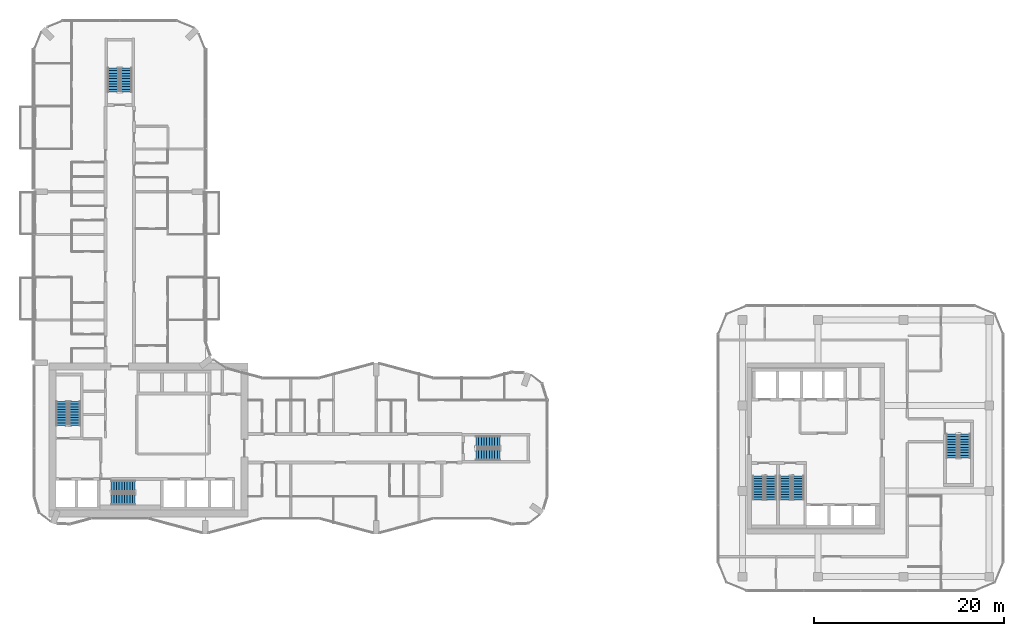
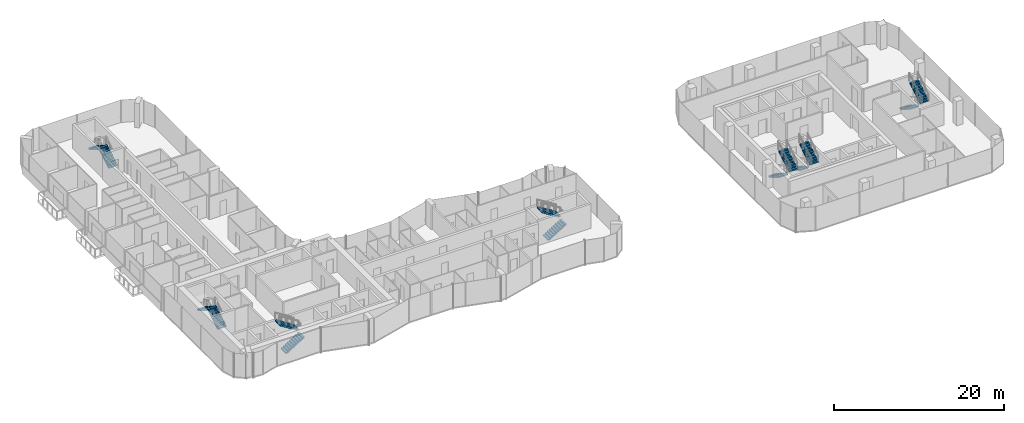
# One storey, part 20 of 23: 14 stair flights, 7 elements without a shape of their own.
"""IFC4 building model written with IfcOpenShell, lengths in metres."""

from ifc_helpers import new_model, si_unit, direction, frame, origin, place, context, subcontext, project, spatial, polyline, outline, extrude, material, type_object, element, aggregate, save


model = new_model("IFC4")

# Units and contexts
model_context = context("Model", 3, precision=1e-05, world=origin(), true_north=direction((0.0, 1.0)))
body_context = subcontext(model_context, "Body", "Model", "MODEL_VIEW")
ifc_project = project(units=[si_unit("LENGTHUNIT", "METRE"), si_unit("AREAUNIT", "SQUARE_METRE"), si_unit("VOLUMEUNIT", "CUBIC_METRE"), si_unit("PLANEANGLEUNIT", "RADIAN"), si_unit("MASSUNIT", "GRAM", prefix="KILO")], contexts=[model_context])

# Site, building, storey
site_placement = place(None, origin())
site = spatial("IfcSite", under=ifc_project, at=site_placement, CompositionType="ELEMENT")
building_placement = place(site_placement, origin())
building = spatial("IfcBuilding", under=site, at=building_placement, Name="Plateau Cross Towers", CompositionType="ELEMENT")
storey_placement = place(building_placement, frame((0.0, 0.0, 40.800048828125)))
storey = spatial("IfcBuildingStorey", under=building, at=storey_placement, Name="L09", CompositionType="ELEMENT", Elevation=40.800048828125)

# Stair, stair flights
ifc_material = material(Name="Concrete C40/50", Category="concrete")
stair_type = type_object("IfcStairType", Name="ST-TWR", PredefinedType="HALF_TURN_STAIR", material=ifc_material)
stair_1_placement = place(storey_placement, origin())
stair_1 = element("IfcStair", 1, at=stair_1_placement, inside=storey, type_object=stair_type, Name="L09 Protected Exit Stair ST-1", PredefinedType="HALF_TURN_STAIR")
stair_flight_type = type_object("IfcStairFlightType", Name="SFL-RC", PredefinedType="STRAIGHT", material=ifc_material)
stair_flight_1_placement = place(storey_placement, frame((4.25, 11.39990234375, 0.0), z_axis=(0.0, 0.0, 1.0), x_axis=(0.0, 1.0, 0.0)))
stair_flight_1 = element("IfcStairFlight", 2, at=stair_flight_1_placement, type_object=stair_flight_type, Name="ST-1 flight 1", NumberOfRisers=10, NumberOfTreads=9, PredefinedType="STRAIGHT", RiserHeight=0.175, TreadLength=0.28, context=body_context, shape_type="SweptSolid", body=[
    extrude(outline(polyline([(-0.0048828125, -0.010009765625), (-0.0048828125, 0.0), (0.0, 0.0), (0.0, 0.175048828125), (0.280029296875, 0.175048828125), (0.280029296875, 0.35009765625), (0.56005859375, 0.35009765625), (0.56005859375, 0.52490234375), (0.840087890625, 0.52490234375), (0.840087890625, 0.699951171875), (1.1201171875, 0.699951171875), (1.1201171875, 0.875), (1.39990234375, 0.875), (1.39990234375, 1.050048828125), (1.679931640625, 1.050048828125), (1.679931640625, 1.22509765625), (1.9599609375, 1.22509765625), (1.9599609375, 1.39990234375), (2.239990234375, 1.39990234375), (2.239990234375, 1.574951171875), (2.52001953125, 1.574951171875), (2.52490234375, 1.56494140625), (2.52490234375, 1.398193359375), (2.52001953125, 1.398193359375), (0.28271484375, 0.0), (0.02001953125, 0.0), (0.02001953125, -0.010009765625), (-0.0048828125, -0.010009765625)])), frame((0.0, 0.60009765625, 0.0), z_axis=(0.0, -1.0, 0.0), x_axis=(1.0, 0.0, 0.0)), (0.0, 0.0, 1.0), 1.199951171875),
])
stair_flight_2_placement = place(storey_placement, frame((2.89990234375, 13.919921875, 1.75), z_axis=(0.0, 0.0, 1.0), x_axis=(0.0, -1.0, 0.0)))
stair_flight_2 = element("IfcStairFlight", 3, at=stair_flight_2_placement, type_object=stair_flight_type, Name="ST-1 flight 2", NumberOfRisers=10, NumberOfTreads=9, PredefinedType="STRAIGHT", RiserHeight=0.175, TreadLength=0.28, context=body_context, shape_type="SweptSolid", body=[
    extrude(outline(polyline([(-0.0048828125, -0.010009765625), (-0.0048828125, 0.0), (0.0, 0.0), (0.0, 0.175048828125), (0.280029296875, 0.175048828125), (0.280029296875, 0.35009765625), (0.56005859375, 0.35009765625), (0.56005859375, 0.52490234375), (0.840087890625, 0.52490234375), (0.840087890625, 0.699951171875), (1.1201171875, 0.699951171875), (1.1201171875, 0.875), (1.39990234375, 0.875), (1.39990234375, 1.050048828125), (1.679931640625, 1.050048828125), (1.679931640625, 1.22509765625), (1.9599609375, 1.22509765625), (1.9599609375, 1.39990234375), (2.239990234375, 1.39990234375), (2.239990234375, 1.574951171875), (2.52001953125, 1.574951171875), (2.52490234375, 1.56494140625), (2.52490234375, 1.398193359375), (2.52001953125, 1.398193359375), (0.28271484375, 0.0), (0.02001953125, 0.0), (0.02001953125, -0.010009765625), (-0.0048828125, -0.010009765625)])), frame((0.0, 0.60009765625, 0.0), z_axis=(0.0, -1.0, 0.0), x_axis=(1.0, 0.0, 0.0)), (0.0, 0.0, 1.0), 1.199951171875),
])
aggregate(stair_1, [stair_flight_1, stair_flight_2])

stair_2_placement = place(storey_placement, origin())
stair_2 = element("IfcStair", 4, at=stair_2_placement, inside=storey, type_object=stair_type, Name="L09 Protected Exit Stair ST-2", PredefinedType="HALF_TURN_STAIR")
stair_flight_3_placement = place(storey_placement, frame((8.10009765625, 3.64990234375, 0.0), z_axis=(0.0, 0.0, 1.0), x_axis=(1.0, 0.0, 0.0)))
stair_flight_3 = element("IfcStairFlight", 5, at=stair_flight_3_placement, type_object=stair_flight_type, Name="ST-2 flight 1", NumberOfRisers=10, NumberOfTreads=9, PredefinedType="STRAIGHT", RiserHeight=0.175, TreadLength=0.28, context=body_context, shape_type="SweptSolid", body=[
    extrude(outline(polyline([(-0.0048828125, -0.010009765625), (-0.0048828125, 0.0), (0.0, 0.0), (0.0, 0.175048828125), (0.280029296875, 0.175048828125), (0.280029296875, 0.35009765625), (0.56005859375, 0.35009765625), (0.56005859375, 0.52490234375), (0.840087890625, 0.52490234375), (0.840087890625, 0.699951171875), (1.1201171875, 0.699951171875), (1.1201171875, 0.875), (1.39990234375, 0.875), (1.39990234375, 1.050048828125), (1.679931640625, 1.050048828125), (1.679931640625, 1.22509765625), (1.9599609375, 1.22509765625), (1.9599609375, 1.39990234375), (2.239990234375, 1.39990234375), (2.239990234375, 1.574951171875), (2.52001953125, 1.574951171875), (2.52490234375, 1.56494140625), (2.52490234375, 1.398193359375), (2.52001953125, 1.398193359375), (0.28271484375, 0.0), (0.02001953125, 0.0), (0.02001953125, -0.010009765625), (-0.0048828125, -0.010009765625)])), frame((0.0, 0.60009765625, 0.0), z_axis=(0.0, -1.0, 0.0), x_axis=(1.0, 0.0, 0.0)), (0.0, 0.0, 1.0), 1.199951171875),
])
stair_flight_4_placement = place(storey_placement, frame((10.6201171875, 5.0, 1.75), z_axis=(0.0, 0.0, 1.0), x_axis=(-1.0, 0.0, 0.0)))
stair_flight_4 = element("IfcStairFlight", 6, at=stair_flight_4_placement, type_object=stair_flight_type, Name="ST-2 flight 2", NumberOfRisers=10, NumberOfTreads=9, PredefinedType="STRAIGHT", RiserHeight=0.175, TreadLength=0.28, context=body_context, shape_type="SweptSolid", body=[
    extrude(outline(polyline([(-0.0048828125, -0.010009765625), (-0.0048828125, 0.0), (0.0, 0.0), (0.0, 0.175048828125), (0.280029296875, 0.175048828125), (0.280029296875, 0.35009765625), (0.56005859375, 0.35009765625), (0.56005859375, 0.52490234375), (0.840087890625, 0.52490234375), (0.840087890625, 0.699951171875), (1.1201171875, 0.699951171875), (1.1201171875, 0.875), (1.39990234375, 0.875), (1.39990234375, 1.050048828125), (1.679931640625, 1.050048828125), (1.679931640625, 1.22509765625), (1.9599609375, 1.22509765625), (1.9599609375, 1.39990234375), (2.239990234375, 1.39990234375), (2.239990234375, 1.574951171875), (2.52001953125, 1.574951171875), (2.52490234375, 1.56494140625), (2.52490234375, 1.398193359375), (2.52001953125, 1.398193359375), (0.28271484375, 0.0), (0.02001953125, 0.0), (0.02001953125, -0.010009765625), (-0.0048828125, -0.010009765625)])), frame((0.0, 0.60009765625, 0.0), z_axis=(0.0, -1.0, 0.0), x_axis=(1.0, 0.0, 0.0)), (0.0, 0.0, 1.0), 1.199951171875),
])
aggregate(stair_2, [stair_flight_3, stair_flight_4])

stair_3_placement = place(storey_placement, origin())
stair_3 = element("IfcStair", 7, at=stair_3_placement, inside=storey, type_object=stair_type, Name="L09 Protected Exit Stair SB-1", PredefinedType="HALF_TURN_STAIR")
stair_flight_5_placement = place(storey_placement, frame((76.199951171875, 6.10009765625, 0.0), z_axis=(0.0, 0.0, 1.0), x_axis=(0.0, -1.0, 0.0)))
stair_flight_5 = element("IfcStairFlight", 8, at=stair_flight_5_placement, type_object=stair_flight_type, Name="SB-1 flight 1", NumberOfRisers=10, NumberOfTreads=9, PredefinedType="STRAIGHT", RiserHeight=0.175, TreadLength=0.28, context=body_context, shape_type="SweptSolid", body=[
    extrude(outline(polyline([(-0.0048828125, -0.010009765625), (-0.0048828125, 0.0), (0.0, 0.0), (0.0, 0.175048828125), (0.280029296875, 0.175048828125), (0.280029296875, 0.35009765625), (0.56005859375, 0.35009765625), (0.56005859375, 0.52490234375), (0.840087890625, 0.52490234375), (0.840087890625, 0.699951171875), (1.1201171875, 0.699951171875), (1.1201171875, 0.875), (1.39990234375, 0.875), (1.39990234375, 1.050048828125), (1.679931640625, 1.050048828125), (1.679931640625, 1.22509765625), (1.9599609375, 1.22509765625), (1.9599609375, 1.39990234375), (2.239990234375, 1.39990234375), (2.239990234375, 1.574951171875), (2.52001953125, 1.574951171875), (2.52490234375, 1.56494140625), (2.52490234375, 1.398193359375), (2.52001953125, 1.398193359375), (0.28271484375, 0.0), (0.02001953125, 0.0), (0.02001953125, -0.010009765625), (-0.0048828125, -0.010009765625)])), frame((0.0, 0.60009765625, 0.0), z_axis=(0.0, -1.0, 0.0), x_axis=(1.0, 0.0, 0.0)), (0.0, 0.0, 1.0), 1.199951171875),
])
stair_flight_6_placement = place(storey_placement, frame((77.550048828125, 3.580078125, 1.75), z_axis=(0.0, 0.0, 1.0), x_axis=(0.0, 1.0, 0.0)))
stair_flight_6 = element("IfcStairFlight", 9, at=stair_flight_6_placement, type_object=stair_flight_type, Name="SB-1 flight 2", NumberOfRisers=10, NumberOfTreads=9, PredefinedType="STRAIGHT", RiserHeight=0.175, TreadLength=0.28, context=body_context, shape_type="SweptSolid", body=[
    extrude(outline(polyline([(-0.0048828125, -0.010009765625), (-0.0048828125, 0.0), (0.0, 0.0), (0.0, 0.175048828125), (0.280029296875, 0.175048828125), (0.280029296875, 0.35009765625), (0.56005859375, 0.35009765625), (0.56005859375, 0.52490234375), (0.840087890625, 0.52490234375), (0.840087890625, 0.699951171875), (1.1201171875, 0.699951171875), (1.1201171875, 0.875), (1.39990234375, 0.875), (1.39990234375, 1.050048828125), (1.679931640625, 1.050048828125), (1.679931640625, 1.22509765625), (1.9599609375, 1.22509765625), (1.9599609375, 1.39990234375), (2.239990234375, 1.39990234375), (2.239990234375, 1.574951171875), (2.52001953125, 1.574951171875), (2.52490234375, 1.56494140625), (2.52490234375, 1.398193359375), (2.52001953125, 1.398193359375), (0.28271484375, 0.0), (0.02001953125, 0.0), (0.02001953125, -0.010009765625), (-0.0048828125, -0.010009765625)])), frame((0.0, 0.60009765625, 0.0), z_axis=(0.0, -1.0, 0.0), x_axis=(1.0, 0.0, 0.0)), (0.0, 0.0, 1.0), 1.199951171875),
])
aggregate(stair_3, [stair_flight_5, stair_flight_6])

stair_4_placement = place(storey_placement, origin())
stair_4 = element("IfcStair", 10, at=stair_4_placement, inside=storey, type_object=stair_type, Name="L09 Protected Exit Stair SB-2", PredefinedType="HALF_TURN_STAIR")
stair_flight_7_placement = place(storey_placement, frame((79.050048828125, 6.10009765625, 0.0), z_axis=(0.0, 0.0, 1.0), x_axis=(0.0, -1.0, 0.0)))
stair_flight_7 = element("IfcStairFlight", 11, at=stair_flight_7_placement, type_object=stair_flight_type, Name="SB-2 flight 1", NumberOfRisers=10, NumberOfTreads=9, PredefinedType="STRAIGHT", RiserHeight=0.175, TreadLength=0.28, context=body_context, shape_type="SweptSolid", body=[
    extrude(outline(polyline([(-0.0048828125, -0.010009765625), (-0.0048828125, 0.0), (0.0, 0.0), (0.0, 0.175048828125), (0.280029296875, 0.175048828125), (0.280029296875, 0.35009765625), (0.56005859375, 0.35009765625), (0.56005859375, 0.52490234375), (0.840087890625, 0.52490234375), (0.840087890625, 0.699951171875), (1.1201171875, 0.699951171875), (1.1201171875, 0.875), (1.39990234375, 0.875), (1.39990234375, 1.050048828125), (1.679931640625, 1.050048828125), (1.679931640625, 1.22509765625), (1.9599609375, 1.22509765625), (1.9599609375, 1.39990234375), (2.239990234375, 1.39990234375), (2.239990234375, 1.574951171875), (2.52001953125, 1.574951171875), (2.52490234375, 1.56494140625), (2.52490234375, 1.398193359375), (2.52001953125, 1.398193359375), (0.28271484375, 0.0), (0.02001953125, 0.0), (0.02001953125, -0.010009765625), (-0.0048828125, -0.010009765625)])), frame((0.0, 0.60009765625, 0.0), z_axis=(0.0, -1.0, 0.0), x_axis=(1.0, 0.0, 0.0)), (0.0, 0.0, 1.0), 1.199951171875),
])
stair_flight_8_placement = place(storey_placement, frame((80.39990234375, 3.580078125, 1.75), z_axis=(0.0, 0.0, 1.0), x_axis=(0.0, 1.0, 0.0)))
stair_flight_8 = element("IfcStairFlight", 12, at=stair_flight_8_placement, type_object=stair_flight_type, Name="SB-2 flight 2", NumberOfRisers=10, NumberOfTreads=9, PredefinedType="STRAIGHT", RiserHeight=0.175, TreadLength=0.28, context=body_context, shape_type="SweptSolid", body=[
    extrude(outline(polyline([(-0.0048828125, -0.010009765625), (-0.0048828125, 0.0), (0.0, 0.0), (0.0, 0.175048828125), (0.280029296875, 0.175048828125), (0.280029296875, 0.35009765625), (0.56005859375, 0.35009765625), (0.56005859375, 0.52490234375), (0.840087890625, 0.52490234375), (0.840087890625, 0.699951171875), (1.1201171875, 0.699951171875), (1.1201171875, 0.875), (1.39990234375, 0.875), (1.39990234375, 1.050048828125), (1.679931640625, 1.050048828125), (1.679931640625, 1.22509765625), (1.9599609375, 1.22509765625), (1.9599609375, 1.39990234375), (2.239990234375, 1.39990234375), (2.239990234375, 1.574951171875), (2.52001953125, 1.574951171875), (2.52490234375, 1.56494140625), (2.52490234375, 1.398193359375), (2.52001953125, 1.398193359375), (0.28271484375, 0.0), (0.02001953125, 0.0), (0.02001953125, -0.010009765625), (-0.0048828125, -0.010009765625)])), frame((0.0, 0.60009765625, 0.0), z_axis=(0.0, -1.0, 0.0), x_axis=(1.0, 0.0, 0.0)), (0.0, 0.0, 1.0), 1.199951171875),
])
aggregate(stair_4, [stair_flight_7, stair_flight_8])

stair_5_placement = place(storey_placement, origin())
stair_5 = element("IfcStair", 13, at=stair_5_placement, inside=storey, type_object=stair_type, Name="L09 Protected Exit Stair SB-3", PredefinedType="HALF_TURN_STAIR")
stair_flight_9_placement = place(storey_placement, frame((96.60009765625, 10.5, 0.0), z_axis=(0.0, 0.0, 1.0), x_axis=(0.0, -1.0, 0.0)))
stair_flight_9 = element("IfcStairFlight", 14, at=stair_flight_9_placement, type_object=stair_flight_type, Name="SB-3 flight 1", NumberOfRisers=10, NumberOfTreads=9, PredefinedType="STRAIGHT", RiserHeight=0.175, TreadLength=0.28, context=body_context, shape_type="SweptSolid", body=[
    extrude(outline(polyline([(-0.0048828125, -0.010009765625), (-0.0048828125, 0.0), (0.0, 0.0), (0.0, 0.175048828125), (0.280029296875, 0.175048828125), (0.280029296875, 0.35009765625), (0.56005859375, 0.35009765625), (0.56005859375, 0.52490234375), (0.840087890625, 0.52490234375), (0.840087890625, 0.699951171875), (1.1201171875, 0.699951171875), (1.1201171875, 0.875), (1.39990234375, 0.875), (1.39990234375, 1.050048828125), (1.679931640625, 1.050048828125), (1.679931640625, 1.22509765625), (1.9599609375, 1.22509765625), (1.9599609375, 1.39990234375), (2.239990234375, 1.39990234375), (2.239990234375, 1.574951171875), (2.52001953125, 1.574951171875), (2.52490234375, 1.56494140625), (2.52490234375, 1.398193359375), (2.52001953125, 1.398193359375), (0.28271484375, 0.0), (0.02001953125, 0.0), (0.02001953125, -0.010009765625), (-0.0048828125, -0.010009765625)])), frame((0.0, 0.60009765625, 0.0), z_axis=(0.0, -1.0, 0.0), x_axis=(1.0, 0.0, 0.0)), (0.0, 0.0, 1.0), 1.199951171875),
])
stair_flight_10_placement = place(storey_placement, frame((97.949951171875, 7.97998046875, 1.75), z_axis=(0.0, 0.0, 1.0), x_axis=(0.0, 1.0, 0.0)))
stair_flight_10 = element("IfcStairFlight", 15, at=stair_flight_10_placement, type_object=stair_flight_type, Name="SB-3 flight 2", NumberOfRisers=10, NumberOfTreads=9, PredefinedType="STRAIGHT", RiserHeight=0.175, TreadLength=0.28, context=body_context, shape_type="SweptSolid", body=[
    extrude(outline(polyline([(-0.0048828125, -0.010009765625), (-0.0048828125, 0.0), (0.0, 0.0), (0.0, 0.175048828125), (0.280029296875, 0.175048828125), (0.280029296875, 0.35009765625), (0.56005859375, 0.35009765625), (0.56005859375, 0.52490234375), (0.840087890625, 0.52490234375), (0.840087890625, 0.699951171875), (1.1201171875, 0.699951171875), (1.1201171875, 0.875), (1.39990234375, 0.875), (1.39990234375, 1.050048828125), (1.679931640625, 1.050048828125), (1.679931640625, 1.22509765625), (1.9599609375, 1.22509765625), (1.9599609375, 1.39990234375), (2.239990234375, 1.39990234375), (2.239990234375, 1.574951171875), (2.52001953125, 1.574951171875), (2.52490234375, 1.56494140625), (2.52490234375, 1.398193359375), (2.52001953125, 1.398193359375), (0.28271484375, 0.0), (0.02001953125, 0.0), (0.02001953125, -0.010009765625), (-0.0048828125, -0.010009765625)])), frame((0.0, 0.60009765625, 0.0), z_axis=(0.0, -1.0, 0.0), x_axis=(1.0, 0.0, 0.0)), (0.0, 0.0, 1.0), 1.199951171875),
])
aggregate(stair_5, [stair_flight_9, stair_flight_10])

stair_6_placement = place(storey_placement, origin())
stair_6 = element("IfcStair", 16, at=stair_6_placement, inside=storey, type_object=stair_type, Name="L09 Protected Exit Stair E", PredefinedType="HALF_TURN_STAIR")
stair_flight_11_placement = place(storey_placement, frame((46.5, 8.324951171875, 0.0), z_axis=(0.0, 0.0, 1.0), x_axis=(1.0, 0.0, 0.0)))
stair_flight_11 = element("IfcStairFlight", 17, at=stair_flight_11_placement, type_object=stair_flight_type, Name="ES-E flight 1", NumberOfRisers=10, NumberOfTreads=9, PredefinedType="STRAIGHT", RiserHeight=0.175, TreadLength=0.28, context=body_context, shape_type="SweptSolid", body=[
    extrude(outline(polyline([(-0.0048828125, -0.010009765625), (-0.0048828125, 0.0), (0.0, 0.0), (0.0, 0.175048828125), (0.280029296875, 0.175048828125), (0.280029296875, 0.35009765625), (0.56005859375, 0.35009765625), (0.56005859375, 0.52490234375), (0.840087890625, 0.52490234375), (0.840087890625, 0.699951171875), (1.1201171875, 0.699951171875), (1.1201171875, 0.875), (1.39990234375, 0.875), (1.39990234375, 1.050048828125), (1.679931640625, 1.050048828125), (1.679931640625, 1.22509765625), (1.9599609375, 1.22509765625), (1.9599609375, 1.39990234375), (2.239990234375, 1.39990234375), (2.239990234375, 1.574951171875), (2.52001953125, 1.574951171875), (2.52490234375, 1.56494140625), (2.52490234375, 1.398193359375), (2.52001953125, 1.398193359375), (0.28271484375, 0.0), (0.02001953125, 0.0), (0.02001953125, -0.010009765625), (-0.0048828125, -0.010009765625)])), frame((0.0, 0.60009765625, 0.0), z_axis=(0.0, -1.0, 0.0), x_axis=(1.0, 0.0, 0.0)), (0.0, 0.0, 1.0), 1.199951171875),
])
stair_flight_12_placement = place(storey_placement, frame((49.02001953125, 9.675048828125, 1.75), z_axis=(0.0, 0.0, 1.0), x_axis=(-1.0, 0.0, 0.0)))
stair_flight_12 = element("IfcStairFlight", 18, at=stair_flight_12_placement, type_object=stair_flight_type, Name="ES-E flight 2", NumberOfRisers=10, NumberOfTreads=9, PredefinedType="STRAIGHT", RiserHeight=0.175, TreadLength=0.28, context=body_context, shape_type="SweptSolid", body=[
    extrude(outline(polyline([(-0.0048828125, -0.010009765625), (-0.0048828125, 0.0), (0.0, 0.0), (0.0, 0.175048828125), (0.280029296875, 0.175048828125), (0.280029296875, 0.35009765625), (0.56005859375, 0.35009765625), (0.56005859375, 0.52490234375), (0.840087890625, 0.52490234375), (0.840087890625, 0.699951171875), (1.1201171875, 0.699951171875), (1.1201171875, 0.875), (1.39990234375, 0.875), (1.39990234375, 1.050048828125), (1.679931640625, 1.050048828125), (1.679931640625, 1.22509765625), (1.9599609375, 1.22509765625), (1.9599609375, 1.39990234375), (2.239990234375, 1.39990234375), (2.239990234375, 1.574951171875), (2.52001953125, 1.574951171875), (2.52490234375, 1.56494140625), (2.52490234375, 1.398193359375), (2.52001953125, 1.398193359375), (0.28271484375, 0.0), (0.02001953125, 0.0), (0.02001953125, -0.010009765625), (-0.0048828125, -0.010009765625)])), frame((0.0, 0.60009765625, 0.0), z_axis=(0.0, -1.0, 0.0), x_axis=(1.0, 0.0, 0.0)), (0.0, 0.0, 1.0), 1.199951171875),
])
aggregate(stair_6, [stair_flight_11, stair_flight_12])

stair_7_placement = place(storey_placement, origin())
stair_7 = element("IfcStair", 19, at=stair_7_placement, inside=storey, type_object=stair_type, Name="L09 Protected Exit Stair N", PredefinedType="HALF_TURN_STAIR")
stair_flight_13_placement = place(storey_placement, frame((9.675048828125, 46.5, 0.0), z_axis=(0.0, 0.0, 1.0), x_axis=(0.0, 1.0, 0.0)))
stair_flight_13 = element("IfcStairFlight", 20, at=stair_flight_13_placement, type_object=stair_flight_type, Name="ES-N flight 1", NumberOfRisers=10, NumberOfTreads=9, PredefinedType="STRAIGHT", RiserHeight=0.175, TreadLength=0.28, context=body_context, shape_type="SweptSolid", body=[
    extrude(outline(polyline([(-0.0048828125, -0.010009765625), (-0.0048828125, 0.0), (0.0, 0.0), (0.0, 0.175048828125), (0.280029296875, 0.175048828125), (0.280029296875, 0.35009765625), (0.56005859375, 0.35009765625), (0.56005859375, 0.52490234375), (0.840087890625, 0.52490234375), (0.840087890625, 0.699951171875), (1.1201171875, 0.699951171875), (1.1201171875, 0.875), (1.39990234375, 0.875), (1.39990234375, 1.050048828125), (1.679931640625, 1.050048828125), (1.679931640625, 1.22509765625), (1.9599609375, 1.22509765625), (1.9599609375, 1.39990234375), (2.239990234375, 1.39990234375), (2.239990234375, 1.574951171875), (2.52001953125, 1.574951171875), (2.52490234375, 1.56494140625), (2.52490234375, 1.398193359375), (2.52001953125, 1.398193359375), (0.28271484375, 0.0), (0.02001953125, 0.0), (0.02001953125, -0.010009765625), (-0.0048828125, -0.010009765625)])), frame((0.0, 0.60009765625, 0.0), z_axis=(0.0, -1.0, 0.0), x_axis=(1.0, 0.0, 0.0)), (0.0, 0.0, 1.0), 1.199951171875),
])
stair_flight_14_placement = place(storey_placement, frame((8.324951171875, 49.02001953125, 1.75), z_axis=(0.0, 0.0, 1.0), x_axis=(0.0, -1.0, 0.0)))
stair_flight_14 = element("IfcStairFlight", 21, at=stair_flight_14_placement, type_object=stair_flight_type, Name="ES-N flight 2", NumberOfRisers=10, NumberOfTreads=9, PredefinedType="STRAIGHT", RiserHeight=0.175, TreadLength=0.28, context=body_context, shape_type="SweptSolid", body=[
    extrude(outline(polyline([(-0.0048828125, -0.010009765625), (-0.0048828125, 0.0), (0.0, 0.0), (0.0, 0.175048828125), (0.280029296875, 0.175048828125), (0.280029296875, 0.35009765625), (0.56005859375, 0.35009765625), (0.56005859375, 0.52490234375), (0.840087890625, 0.52490234375), (0.840087890625, 0.699951171875), (1.1201171875, 0.699951171875), (1.1201171875, 0.875), (1.39990234375, 0.875), (1.39990234375, 1.050048828125), (1.679931640625, 1.050048828125), (1.679931640625, 1.22509765625), (1.9599609375, 1.22509765625), (1.9599609375, 1.39990234375), (2.239990234375, 1.39990234375), (2.239990234375, 1.574951171875), (2.52001953125, 1.574951171875), (2.52490234375, 1.56494140625), (2.52490234375, 1.398193359375), (2.52001953125, 1.398193359375), (0.28271484375, 0.0), (0.02001953125, 0.0), (0.02001953125, -0.010009765625), (-0.0048828125, -0.010009765625)])), frame((0.0, 0.60009765625, 0.0), z_axis=(0.0, -1.0, 0.0), x_axis=(1.0, 0.0, 0.0)), (0.0, 0.0, 1.0), 1.199951171875),
])
aggregate(stair_7, [stair_flight_13, stair_flight_14])

save(model, "model.ifc")
